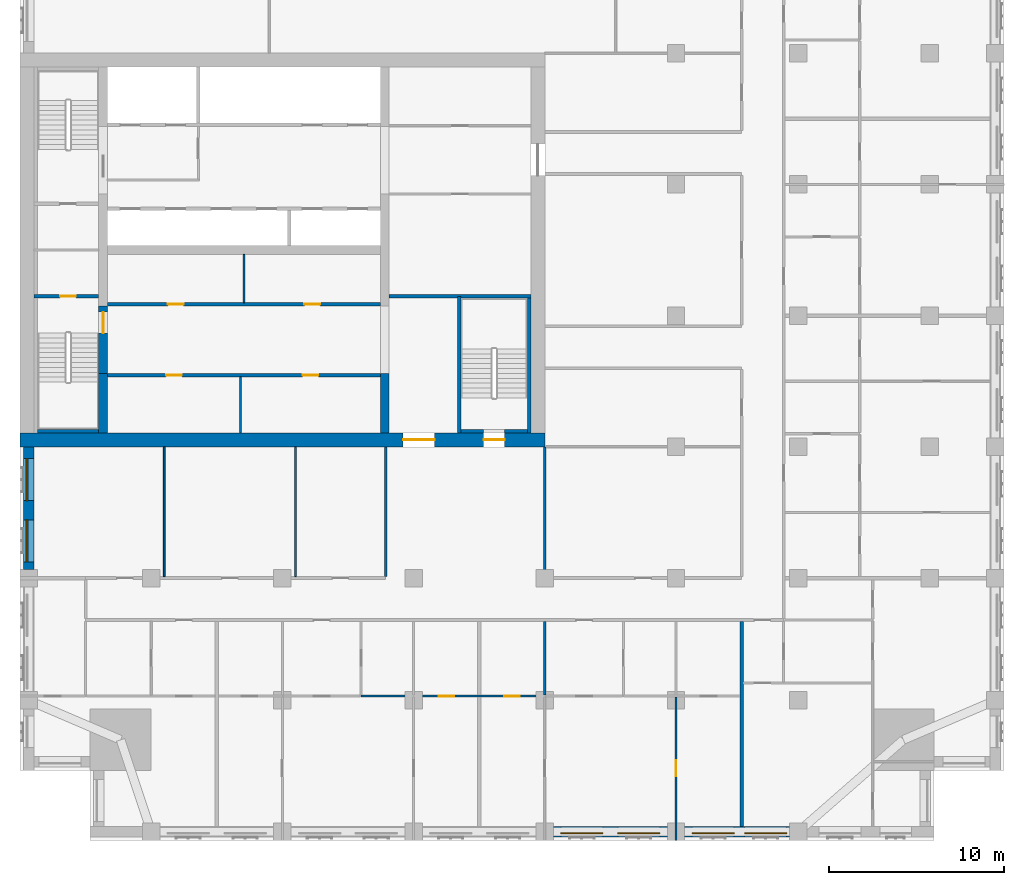
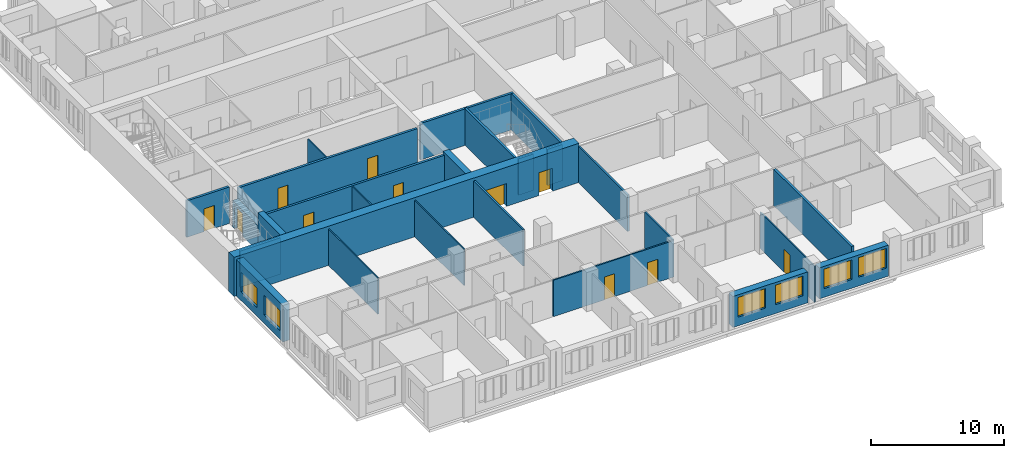
# One storey, part 5 of 13: 26 walls, 11 doors, 6 windows, 17 openings.
"""IFC4 building model written with IfcOpenShell, lengths in metres."""

from ifc_helpers import new_model, si_unit, direction, frame, frame_2d, origin, place, context, subcontext, project, spatial, rectangle, extrude, material, layer, layer_set, type_object, element, fill, save


model = new_model("IFC4")

# Units and contexts
model_context = context("Model", 3, precision=1e-05, world=origin(), true_north=direction((0.0, 1.0)))
body_context = subcontext(model_context, "Body", "Model", "MODEL_VIEW")
ifc_project = project(units=[si_unit("LENGTHUNIT", "METRE"), si_unit("AREAUNIT", "SQUARE_METRE"), si_unit("VOLUMEUNIT", "CUBIC_METRE"), si_unit("PLANEANGLEUNIT", "RADIAN"), si_unit("MASSUNIT", "GRAM", prefix="KILO")], contexts=[model_context])

# Site, building, storey
site_placement = place(None, origin())
site = spatial("IfcSite", under=ifc_project, at=site_placement, CompositionType="ELEMENT")
building_placement = place(site_placement, origin())
building = spatial("IfcBuilding", under=site, at=building_placement, Name="Tamorin Gate", CompositionType="ELEMENT")
storey_placement = place(building_placement, frame((0.0, 0.0, 144.60009765625)))
storey = spatial("IfcBuildingStorey", under=building, at=storey_placement, Name="L35", CompositionType="ELEMENT", Elevation=144.60009765625)

# Wall, openings, windows
ifc_material_1 = material(Name="Precast concrete C40/50", Category="concrete")
ifc_layer_1 = layer(ifc_material_1, 0.60009765625)
ifc_layer_set_1 = layer_set([ifc_layer_1], Name="Precast concrete C40/50")
wall_type_1 = type_object("IfcWallType", Name="Board-marked concrete facade panel 600", PredefinedType="SOLIDWALL", material=ifc_layer_set_1)
wall_1_placement = place(storey_placement, frame((60.5, 38.0, 0.0), z_axis=(0.0, 0.0, 1.0), x_axis=(1.0, 0.0, 0.0)))
wall_1 = element("IfcWall", 1, at=wall_1_placement, inside=storey, type_object=wall_type_1, Name="Facade panel", PredefinedType="SOLIDWALL", context=body_context, shape_type="SweptSolid", body=[
    extrude(rectangle(XDim=6.5, YDim=0.60009765625, at=frame_2d((3.25, 0.0))), origin(), (0.0, 0.0, 1.0), 2.849853515625),
])
opening_1_placement = place(wall_1_placement, frame((0.425048828125, 0.0, 0.800048828125)))
opening_1 = element("IfcOpeningElement", 2, at=opening_1_placement, cuts=wall_1, Name="Opening WN1", PredefinedType="OPENING", context=body_context, shape_type="SweptSolid", body=[
    extrude(rectangle(XDim=2.39990234375, YDim=1.800048828125, at=frame_2d((1.199951171875, 0.89990234375))), frame((0.0, 0.31005859375, 0.0), z_axis=(0.0, -1.0, 0.0), x_axis=(1.0, 0.0, 0.0)), (0.0, 0.0, 1.0), 0.6201171875),
])
opening_2_placement = place(wall_1_placement, frame((3.675048828125, 0.0, 0.800048828125)))
opening_2 = element("IfcOpeningElement", 3, at=opening_2_placement, cuts=wall_1, Name="Opening WN1", PredefinedType="OPENING", context=body_context, shape_type="SweptSolid", body=[
    extrude(rectangle(XDim=2.39990234375, YDim=1.800048828125, at=frame_2d((1.199951171875, 0.89990234375))), frame((0.0, 0.31005859375, 0.0), z_axis=(0.0, -1.0, 0.0), x_axis=(1.0, 0.0, 0.0)), (0.0, 0.0, 1.0), 0.6201171875),
])
ifc_material_2 = material(Name="Clear glass in aluminium frame", Category="aluminium")
window_type = type_object("IfcWindowType", Name="Deep-set window 2400x1800", PartitioningType="SINGLE_PANEL", PredefinedType="WINDOW", material=ifc_material_2)
window_1_placement = place(opening_1_placement, origin())
window_1 = element("IfcWindow", 4, at=window_1_placement, inside=storey, type_object=window_type, Name="Deep-set window", OverallHeight=1.800048828125, OverallWidth=2.39990234375, PartitioningType="SINGLE_PANEL", PredefinedType="WINDOW", context=body_context, shape_type="SweptSolid", body=[
    extrude(rectangle(XDim=2.39990234375, YDim=1.800048828125, at=frame_2d((1.199951171875, 0.89990234375))), frame((0.0, -0.070068359375, 0.0), z_axis=(0.0, -1.0, 0.0), x_axis=(1.0, 0.0, 0.0)), (0.0, 0.0, 1.0), 0.06005859375),
])
fill(opening_1, window_1)
window_2_placement = place(opening_2_placement, origin())
window_2 = element("IfcWindow", 5, at=window_2_placement, inside=storey, type_object=window_type, Name="Deep-set window", OverallHeight=1.800048828125, OverallWidth=2.39990234375, PartitioningType="SINGLE_PANEL", PredefinedType="WINDOW", context=body_context, shape_type="SweptSolid", body=[
    extrude(rectangle(XDim=2.39990234375, YDim=1.800048828125, at=frame_2d((1.199951171875, 0.89990234375))), frame((0.0, -0.070068359375, 0.0), z_axis=(0.0, -1.0, 0.0), x_axis=(1.0, 0.0, 0.0)), (0.0, 0.0, 1.0), 0.06005859375),
])
fill(opening_2, window_2)

wall_2_placement = place(storey_placement, frame((68.0, 38.0, 0.0), z_axis=(0.0, 0.0, 1.0), x_axis=(1.0, 0.0, 0.0)))
wall_2 = element("IfcWall", 6, at=wall_2_placement, inside=storey, type_object=wall_type_1, Name="Facade panel", PredefinedType="SOLIDWALL", context=body_context, shape_type="SweptSolid", body=[
    extrude(rectangle(XDim=6.0, YDim=0.60009765625, at=frame_2d((3.0, 0.0))), origin(), (0.0, 0.0, 1.0), 2.849853515625),
])
opening_3_placement = place(wall_2_placement, frame((0.425048828125, 0.0, 0.800048828125)))
opening_3 = element("IfcOpeningElement", 7, at=opening_3_placement, cuts=wall_2, Name="Opening WN1", PredefinedType="OPENING", context=body_context, shape_type="SweptSolid", body=[
    extrude(rectangle(XDim=2.39990234375, YDim=1.800048828125, at=frame_2d((1.199951171875, 0.89990234375))), frame((0.0, 0.31005859375, 0.0), z_axis=(0.0, -1.0, 0.0), x_axis=(1.0, 0.0, 0.0)), (0.0, 0.0, 1.0), 0.6201171875),
])
opening_4_placement = place(wall_2_placement, frame((3.425048828125, 0.0, 0.800048828125)))
opening_4 = element("IfcOpeningElement", 8, at=opening_4_placement, cuts=wall_2, Name="Opening WN1", PredefinedType="OPENING", context=body_context, shape_type="SweptSolid", body=[
    extrude(rectangle(XDim=2.39990234375, YDim=1.800048828125, at=frame_2d((1.199951171875, 0.89990234375))), frame((0.0, 0.31005859375, 0.0), z_axis=(0.0, -1.0, 0.0), x_axis=(1.0, 0.0, 0.0)), (0.0, 0.0, 1.0), 0.6201171875),
])
window_3_placement = place(opening_3_placement, origin())
window_3 = element("IfcWindow", 9, at=window_3_placement, inside=storey, type_object=window_type, Name="Deep-set window", OverallHeight=1.800048828125, OverallWidth=2.39990234375, PartitioningType="SINGLE_PANEL", PredefinedType="WINDOW", context=body_context, shape_type="SweptSolid", body=[
    extrude(rectangle(XDim=2.39990234375, YDim=1.800048828125, at=frame_2d((1.199951171875, 0.89990234375))), frame((0.0, -0.070068359375, 0.0), z_axis=(0.0, -1.0, 0.0), x_axis=(1.0, 0.0, 0.0)), (0.0, 0.0, 1.0), 0.06005859375),
])
fill(opening_3, window_3)
window_4_placement = place(opening_4_placement, origin())
window_4 = element("IfcWindow", 10, at=window_4_placement, inside=storey, type_object=window_type, Name="Deep-set window", OverallHeight=1.800048828125, OverallWidth=2.39990234375, PartitioningType="SINGLE_PANEL", PredefinedType="WINDOW", context=body_context, shape_type="SweptSolid", body=[
    extrude(rectangle(XDim=2.39990234375, YDim=1.800048828125, at=frame_2d((1.199951171875, 0.89990234375))), frame((0.0, -0.070068359375, 0.0), z_axis=(0.0, -1.0, 0.0), x_axis=(1.0, 0.0, 0.0)), (0.0, 0.0, 1.0), 0.06005859375),
])
fill(opening_4, window_4)

wall_3_placement = place(storey_placement, frame((30.5, 60.0, 0.0), z_axis=(0.0, 0.0, 1.0), x_axis=(0.0, -1.0, 0.0)))
wall_3 = element("IfcWall", 11, at=wall_3_placement, inside=storey, type_object=wall_type_1, Name="Facade panel", PredefinedType="SOLIDWALL", context=body_context, shape_type="SweptSolid", body=[
    extrude(rectangle(XDim=7.0, YDim=0.60009765625, at=frame_2d((3.5, 0.0))), origin(), (0.0, 0.0, 1.0), 3.349853515625),
])
opening_5_placement = place(wall_3_placement, frame((4.175048828125, 0.0, 0.800048828125)))
opening_5 = element("IfcOpeningElement", 12, at=opening_5_placement, cuts=wall_3, Name="Opening WN1", PredefinedType="OPENING", context=body_context, shape_type="SweptSolid", body=[
    extrude(rectangle(XDim=2.39990234375, YDim=1.800048828125, at=frame_2d((1.199951171875, 0.89990234375))), frame((0.0, 0.31005859375, 0.0), z_axis=(0.0, -1.0, 0.0), x_axis=(1.0, 0.0, 0.0)), (0.0, 0.0, 1.0), 0.6201171875),
])
opening_6_placement = place(wall_3_placement, frame((0.675048828125, 0.0, 0.800048828125)))
opening_6 = element("IfcOpeningElement", 13, at=opening_6_placement, cuts=wall_3, Name="Opening WN1", PredefinedType="OPENING", context=body_context, shape_type="SweptSolid", body=[
    extrude(rectangle(XDim=2.39990234375, YDim=1.800048828125, at=frame_2d((1.199951171875, 0.89990234375))), frame((0.0, 0.31005859375, 0.0), z_axis=(0.0, -1.0, 0.0), x_axis=(1.0, 0.0, 0.0)), (0.0, 0.0, 1.0), 0.6201171875),
])
window_5_placement = place(opening_5_placement, origin())
window_5 = element("IfcWindow", 14, at=window_5_placement, inside=storey, type_object=window_type, Name="Deep-set window", OverallHeight=1.800048828125, OverallWidth=2.39990234375, PartitioningType="SINGLE_PANEL", PredefinedType="WINDOW", context=body_context, shape_type="SweptSolid", body=[
    extrude(rectangle(XDim=2.39990234375, YDim=1.800048828125, at=frame_2d((1.199951171875, 0.89990234375))), frame((0.0, -0.070068359375, 0.0), z_axis=(0.0, -1.0, 0.0), x_axis=(1.0, 0.0, 0.0)), (0.0, 0.0, 1.0), 0.06005859375),
])
fill(opening_5, window_5)
window_6_placement = place(opening_6_placement, origin())
window_6 = element("IfcWindow", 15, at=window_6_placement, inside=storey, type_object=window_type, Name="Deep-set window", OverallHeight=1.800048828125, OverallWidth=2.39990234375, PartitioningType="SINGLE_PANEL", PredefinedType="WINDOW", context=body_context, shape_type="SweptSolid", body=[
    extrude(rectangle(XDim=2.39990234375, YDim=1.800048828125, at=frame_2d((1.199951171875, 0.89990234375))), frame((0.0, -0.070068359375, 0.0), z_axis=(0.0, -1.0, 0.0), x_axis=(1.0, 0.0, 0.0)), (0.0, 0.0, 1.0), 0.06005859375),
])
fill(opening_6, window_6)

# Walls
ifc_material_3 = material(Name="Gypsum board partition")
ifc_layer_2 = layer(ifc_material_3, 0.199951171875)
ifc_layer_set_2 = layer_set([ifc_layer_2], Name="Demising wall 200")
wall_type_2 = type_object("IfcWallType", Name="Demising wall 200", PredefinedType="PARTITIONING", material=ifc_layer_set_2)
wall_4_placement = place(storey_placement, frame((71.25, 38.31005859375, 0.0), z_axis=(0.0, 0.0, 1.0), x_axis=(0.0, 1.0, 0.0)))
element("IfcWall", 16, at=wall_4_placement, inside=storey, type_object=wall_type_2, Name="Demising wall 200", PredefinedType="PARTITIONING", context=body_context, shape_type="SweptSolid", body=[
    extrude(rectangle(XDim=11.71484375, YDim=0.199951171875, at=frame_2d((5.857421875, 0.0))), origin(), (0.0, 0.0, 1.0), 3.349853515625),
])
ifc_layer_3 = layer(ifc_material_3, 0.14990234375)
ifc_layer_set_3 = layer_set([ifc_layer_3], Name="Lobby wall 150")
wall_type_3 = type_object("IfcWallType", Name="Lobby wall 150", PredefinedType="PARTITIONING", material=ifc_layer_set_3)
for number, where, z_axis, x_axis, name in (
    (17, (50.89990234375, 52.574951171875, 0.0), (0.0, 0.0, 1.0), (0.0, 1.0, 0.0), "Lobby wall 150"),
    (18, (60.0, 52.574951171875, 0.0), (0.0, 0.0, 1.0), (0.0, 1.0, 0.0), "Lobby wall 150"),
):
    element("IfcWall", number, at=place(storey_placement, frame(where, z_axis=z_axis, x_axis=x_axis)), inside=storey, type_object=wall_type_3, Name=name, PredefinedType="PARTITIONING", context=body_context, shape_type="SweptSolid", body=[
        extrude(rectangle(XDim=7.425048828125, YDim=0.14990234375, at=frame_2d((3.71240234375, 0.0))), origin(), (0.0, 0.0, 1.0), 3.349853515625),
    ])
ifc_material_4 = material(Name="Concrete C60/75", Category="concrete")
ifc_layer_4 = layer(ifc_material_4, 0.5)
ifc_layer_set_4 = layer_set([ifc_layer_4], Name="RC core internal wall 500 C60/75")
wall_type_4 = type_object("IfcWallType", Name="RC core internal wall 500 C60/75", PredefinedType="SHEAR", material=ifc_layer_set_4)
for number, where, z_axis, x_axis, name in (
    (19, (34.75, 60.800048828125, 0.0), (0.0, 0.0, 1.0), (0.0, 1.0, 0.0), "Core cross wall L35"),
    (20, (50.85009765625, 60.800048828125, 0.0), (0.0, 0.0, 1.0), (0.0, 1.0, 0.0), "Core cross wall L35"),
):
    element("IfcWall", number, at=place(storey_placement, frame(where, z_axis=z_axis, x_axis=x_axis)), inside=storey, type_object=wall_type_4, Name=name, PredefinedType="SHEAR", context=body_context, shape_type="SweptSolid", body=[
        extrude(rectangle(XDim=3.39990234375, YDim=0.5, at=frame_2d((1.699951171875, 0.0))), origin(), (0.0, 0.0, 1.0), 3.599853515625),
    ])

# Wall, openings, doors
ifc_layer_5 = layer(ifc_material_4, 0.800048828125)
ifc_layer_set_5 = layer_set([ifc_layer_5], Name="RC core wall 800 C60/75")
wall_type_5 = type_object("IfcWallType", Name="RC core wall 800 C60/75", PredefinedType="SHEAR", material=ifc_layer_set_5)
wall_5_placement = place(storey_placement, frame((30.0, 60.39990234375, 0.0), z_axis=(0.0, 0.0, 1.0), x_axis=(1.0, 0.0, 0.0)))
wall_5 = element("IfcWall", 21, at=wall_5_placement, inside=storey, type_object=wall_type_5, Name="Core wall L35", PredefinedType="SHEAR", context=body_context, shape_type="SweptSolid", body=[
    extrude(rectangle(XDim=30.0, YDim=0.800048828125, at=frame_2d((15.0, 0.0))), origin(), (0.0, 0.0, 1.0), 3.599853515625),
])
opening_7_placement = place(wall_5_placement, frame((21.89990234375, 0.0, 0.0)))
opening_7 = element("IfcOpeningElement", 22, at=opening_7_placement, cuts=wall_5, Name="Opening DE1", PredefinedType="OPENING", context=body_context, shape_type="SweptSolid", body=[
    extrude(rectangle(XDim=1.800048828125, YDim=2.10009765625, at=frame_2d((0.89990234375, 1.050048828125))), frame((0.0, 0.409912109375, 0.0), z_axis=(0.0, -1.0, 0.0), x_axis=(1.0, 0.0, 0.0)), (0.0, 0.0, 1.0), 0.820068359375),
])
opening_8_placement = place(wall_5_placement, frame((26.5, 0.0, 0.0)))
opening_8 = element("IfcOpeningElement", 23, at=opening_8_placement, cuts=wall_5, Name="Opening DS1", PredefinedType="OPENING", context=body_context, shape_type="SweptSolid", body=[
    extrude(rectangle(XDim=1.199951171875, YDim=2.10009765625, at=frame_2d((0.60009765625, 1.050048828125))), frame((0.0, 0.409912109375, 0.0), z_axis=(0.0, -1.0, 0.0), x_axis=(1.0, 0.0, 0.0)), (0.0, 0.0, 1.0), 0.820068359375),
])
ifc_material_5 = material(Name="Steel fire door", Category="steel")
door_type_1 = type_object("IfcDoorType", Name="Lobby exit double door 1800 x 2100 EI 60", OperationType="DOUBLE_DOOR_SINGLE_SWING", PredefinedType="DOOR", material=ifc_material_5)
door_1_placement = place(opening_7_placement, origin())
door_1 = element("IfcDoor", 24, at=door_1_placement, inside=storey, type_object=door_type_1, Name="Lift lobby A exit door", OperationType="DOUBLE_DOOR_SINGLE_SWING", OverallHeight=2.10009765625, OverallWidth=1.800048828125, PredefinedType="DOOR", context=body_context, shape_type="SweptSolid", body=[
    extrude(rectangle(XDim=1.800048828125, YDim=2.10009765625, at=frame_2d((0.89990234375, 1.050048828125))), frame((0.0, 0.02490234375, 0.0), z_axis=(0.0, -1.0, 0.0), x_axis=(1.0, 0.0, 0.0)), (0.0, 0.0, 1.0), 0.050048828125),
])
fill(opening_7, door_1)
door_type_2 = type_object("IfcDoorType", Name="Stair door 1200 x 2100 EI 90", OperationType="SINGLE_SWING_LEFT", PredefinedType="DOOR", material=ifc_material_5)
door_2_placement = place(opening_8_placement, origin())
door_2 = element("IfcDoor", 25, at=door_2_placement, inside=storey, type_object=door_type_2, Name="ST3 door", OperationType="SINGLE_SWING_LEFT", OverallHeight=2.10009765625, OverallWidth=1.199951171875, PredefinedType="DOOR", context=body_context, shape_type="SweptSolid", body=[
    extrude(rectangle(XDim=1.199951171875, YDim=2.10009765625, at=frame_2d((0.60009765625, 1.050048828125))), frame((0.0, 0.02490234375, 0.0), z_axis=(0.0, -1.0, 0.0), x_axis=(1.0, 0.0, 0.0)), (0.0, 0.0, 1.0), 0.050048828125),
])
fill(opening_8, door_2)

# Walls
ifc_layer_6 = layer(ifc_material_3, 0.10009765625)
ifc_layer_set_6 = layer_set([ifc_layer_6], Name="Room partition 100")
wall_type_6 = type_object("IfcWallType", Name="Room partition 100", PredefinedType="PARTITIONING", material=ifc_layer_set_6)
for number, where, z_axis, x_axis, name in (
    (26, (38.25, 52.574951171875, 0.0), (0.0, 0.0, 1.0), (0.0, 1.0, 0.0), "Room partition 100"),
    (27, (45.75, 52.574951171875, 0.0), (0.0, 0.0, 1.0), (0.0, 1.0, 0.0), "Room partition 100"),
):
    element("IfcWall", number, at=place(storey_placement, frame(where, z_axis=z_axis, x_axis=x_axis)), inside=storey, type_object=wall_type_6, Name=name, PredefinedType="PARTITIONING", context=body_context, shape_type="SweptSolid", body=[
        extrude(rectangle(XDim=7.425048828125, YDim=0.10009765625, at=frame_2d((3.71240234375, 0.0))), origin(), (0.0, 0.0, 1.0), 3.349853515625),
    ])

# Wall, opening, door
wall_6_placement = place(storey_placement, frame((67.5, 37.5, 0.0), z_axis=(0.0, 0.0, 1.0), x_axis=(0.0, 1.0, 0.0)))
wall_6 = element("IfcWall", 28, at=wall_6_placement, inside=storey, type_object=wall_type_6, Name="Room partition 100", PredefinedType="PARTITIONING", context=body_context, shape_type="SweptSolid", body=[
    extrude(rectangle(XDim=8.1875, YDim=0.10009765625, at=frame_2d((4.09375, 0.0))), origin(), (0.0, 0.0, 1.0), 3.349853515625),
])
opening_9_placement = place(wall_6_placement, frame((3.675048828125, 0.0, 0.0)))
opening_9 = element("IfcOpeningElement", 29, at=opening_9_placement, cuts=wall_6, Name="Opening DS1018", PredefinedType="OPENING", context=body_context, shape_type="SweptSolid", body=[
    extrude(rectangle(XDim=0.89990234375, YDim=2.10009765625, at=frame_2d((0.449951171875, 1.050048828125))), frame((0.0, 0.06005859375, 0.0), z_axis=(0.0, -1.0, 0.0), x_axis=(1.0, 0.0, 0.0)), (0.0, 0.0, 1.0), 0.1201171875),
])
ifc_material_6 = material(Name="Timber door leaf", Category="wood")
door_type_3 = type_object("IfcDoorType", Name="Door 900 x 2100", OperationType="NOTDEFINED", PredefinedType="DOOR", material=ifc_material_6)
door_3_placement = place(opening_9_placement, origin())
door_3 = element("IfcDoor", 30, at=door_3_placement, inside=storey, type_object=door_type_3, Name="Door DS1018", OperationType="SINGLE_SWING_LEFT", OverallHeight=2.10009765625, OverallWidth=0.89990234375, PredefinedType="DOOR", context=body_context, shape_type="SweptSolid", body=[
    extrude(rectangle(XDim=0.89990234375, YDim=2.10009765625, at=frame_2d((0.449951171875, 1.050048828125))), frame((0.0, 0.02490234375, 0.0), z_axis=(0.0, -1.0, 0.0), x_axis=(1.0, 0.0, 0.0)), (0.0, 0.0, 1.0), 0.050048828125),
])
fill(opening_9, door_3)

# Wall, openings, doors
ifc_layer_7 = layer(ifc_material_3, 0.199951171875)
ifc_layer_set_7 = layer_set([ifc_layer_7], Name="Service room face wall 200 EI 60")
wall_type_7 = type_object("IfcWallType", Name="Service room face wall 200 EI 60", PredefinedType="PARTITIONING", material=ifc_layer_set_7)
wall_7_placement = place(storey_placement, frame((35.0, 64.10009765625, 0.0), z_axis=(0.0, 0.0, 1.0), x_axis=(1.0, 0.0, 0.0)))
wall_7 = element("IfcWall", 31, at=wall_7_placement, inside=storey, type_object=wall_type_7, Name="Service room face wall", PredefinedType="PARTITIONING", context=body_context, shape_type="SweptSolid", body=[
    extrude(rectangle(XDim=15.60009765625, YDim=0.199951171875, at=frame_2d((7.800048828125, 0.0))), origin(), (0.0, 0.0, 1.0), 3.349853515625),
])
opening_10_placement = place(wall_7_placement, frame((3.35009765625, 0.0, 0.0)))
opening_10 = element("IfcOpeningElement", 32, at=opening_10_placement, cuts=wall_7, Name="Opening DK1", PredefinedType="OPENING", context=body_context, shape_type="SweptSolid", body=[
    extrude(rectangle(XDim=0.89990234375, YDim=2.10009765625, at=frame_2d((0.449951171875, 1.050048828125))), frame((0.0, 0.10986328125, 0.0), z_axis=(0.0, -1.0, 0.0), x_axis=(1.0, 0.0, 0.0)), (0.0, 0.0, 1.0), 0.219970703125),
])
opening_11_placement = place(wall_7_placement, frame((11.14990234375, 0.0, 0.0)))
opening_11 = element("IfcOpeningElement", 33, at=opening_11_placement, cuts=wall_7, Name="Opening DK1", PredefinedType="OPENING", context=body_context, shape_type="SweptSolid", body=[
    extrude(rectangle(XDim=0.89990234375, YDim=2.10009765625, at=frame_2d((0.449951171875, 1.050048828125))), frame((0.0, 0.10986328125, 0.0), z_axis=(0.0, -1.0, 0.0), x_axis=(1.0, 0.0, 0.0)), (0.0, 0.0, 1.0), 0.219970703125),
])
ifc_material_7 = material(Name="Timber fire door", Category="wood")
door_type_4 = type_object("IfcDoorType", Name="Service room door 900 x 2100 EI 60", OperationType="SINGLE_SWING_LEFT", PredefinedType="DOOR", material=ifc_material_7)
door_4_placement = place(opening_10_placement, origin())
door_4 = element("IfcDoor", 34, at=door_4_placement, inside=storey, type_object=door_type_4, Name="Door Pantry", OperationType="SINGLE_SWING_LEFT", OverallHeight=2.10009765625, OverallWidth=0.89990234375, PredefinedType="DOOR", context=body_context, shape_type="SweptSolid", body=[
    extrude(rectangle(XDim=0.89990234375, YDim=2.10009765625, at=frame_2d((0.449951171875, 1.050048828125))), frame((0.0, 0.02490234375, 0.0), z_axis=(0.0, -1.0, 0.0), x_axis=(1.0, 0.0, 0.0)), (0.0, 0.0, 1.0), 0.050048828125),
])
fill(opening_10, door_4)
door_5_placement = place(opening_11_placement, origin())
door_5 = element("IfcDoor", 35, at=door_5_placement, inside=storey, type_object=door_type_4, Name="Door Linen store", OperationType="SINGLE_SWING_RIGHT", OverallHeight=2.10009765625, OverallWidth=0.89990234375, PredefinedType="DOOR", context=body_context, shape_type="SweptSolid", body=[
    extrude(rectangle(XDim=0.89990234375, YDim=2.10009765625, at=frame_2d((0.449951171875, 1.050048828125))), frame((0.0, 0.02490234375, 0.0), z_axis=(0.0, -1.0, 0.0), x_axis=(1.0, 0.0, 0.0)), (0.0, 0.0, 1.0), 0.050048828125),
])
fill(opening_11, door_5)

wall_8_placement = place(storey_placement, frame((35.0, 68.14990234375, 0.0), z_axis=(0.0, 0.0, 1.0), x_axis=(1.0, 0.0, 0.0)))
wall_8 = element("IfcWall", 36, at=wall_8_placement, inside=storey, type_object=wall_type_7, Name="Service room face wall", PredefinedType="PARTITIONING", context=body_context, shape_type="SweptSolid", body=[
    extrude(rectangle(XDim=15.60009765625, YDim=0.199951171875, at=frame_2d((7.800048828125, 0.0))), origin(), (0.0, 0.0, 1.0), 3.349853515625),
])
opening_12_placement = place(wall_8_placement, frame((3.449951171875, 0.0, 0.0)))
opening_12 = element("IfcOpeningElement", 37, at=opening_12_placement, cuts=wall_8, Name="Opening DK1", PredefinedType="OPENING", context=body_context, shape_type="SweptSolid", body=[
    extrude(rectangle(XDim=0.89990234375, YDim=2.10009765625, at=frame_2d((0.449951171875, 1.050048828125))), frame((0.0, 0.10986328125, 0.0), z_axis=(0.0, -1.0, 0.0), x_axis=(1.0, 0.0, 0.0)), (0.0, 0.0, 1.0), 0.219970703125),
])
opening_13_placement = place(wall_8_placement, frame((11.25, 0.0, 0.0)))
opening_13 = element("IfcOpeningElement", 38, at=opening_13_placement, cuts=wall_8, Name="Opening DK1", PredefinedType="OPENING", context=body_context, shape_type="SweptSolid", body=[
    extrude(rectangle(XDim=0.89990234375, YDim=2.10009765625, at=frame_2d((0.449951171875, 1.050048828125))), frame((0.0, 0.10986328125, 0.0), z_axis=(0.0, -1.0, 0.0), x_axis=(1.0, 0.0, 0.0)), (0.0, 0.0, 1.0), 0.219970703125),
])
door_6_placement = place(opening_12_placement, origin())
door_6 = element("IfcDoor", 39, at=door_6_placement, inside=storey, type_object=door_type_4, Name="Door Housekeeping store", OperationType="SINGLE_SWING_LEFT", OverallHeight=2.10009765625, OverallWidth=0.89990234375, PredefinedType="DOOR", context=body_context, shape_type="SweptSolid", body=[
    extrude(rectangle(XDim=0.89990234375, YDim=2.10009765625, at=frame_2d((0.449951171875, 1.050048828125))), frame((0.0, 0.02490234375, 0.0), z_axis=(0.0, -1.0, 0.0), x_axis=(1.0, 0.0, 0.0)), (0.0, 0.0, 1.0), 0.050048828125),
])
fill(opening_12, door_6)
door_7_placement = place(opening_13_placement, origin())
door_7 = element("IfcDoor", 40, at=door_7_placement, inside=storey, type_object=door_type_4, Name="Door IT room", OperationType="SINGLE_SWING_RIGHT", OverallHeight=2.10009765625, OverallWidth=0.89990234375, PredefinedType="DOOR", context=body_context, shape_type="SweptSolid", body=[
    extrude(rectangle(XDim=0.89990234375, YDim=2.10009765625, at=frame_2d((0.449951171875, 1.050048828125))), frame((0.0, 0.02490234375, 0.0), z_axis=(0.0, -1.0, 0.0), x_axis=(1.0, 0.0, 0.0)), (0.0, 0.0, 1.0), 0.050048828125),
])
fill(opening_13, door_7)

# Walls
ifc_layer_8 = layer(ifc_material_3, 0.10009765625)
ifc_layer_set_8 = layer_set([ifc_layer_8], Name="Service room partition 100 EI 60")
wall_type_8 = type_object("IfcWallType", Name="Service room partition 100 EI 60", PredefinedType="PARTITIONING", material=ifc_layer_set_8)
wall_9_placement = place(storey_placement, frame((42.60009765625, 60.800048828125, 0.0), z_axis=(0.0, 0.0, 1.0), x_axis=(0.0, 1.0, 0.0)))
element("IfcWall", 41, at=wall_9_placement, inside=storey, type_object=wall_type_8, Name="Service room partition", PredefinedType="PARTITIONING", context=body_context, shape_type="SweptSolid", body=[
    extrude(rectangle(XDim=3.199951171875, YDim=0.10009765625, at=frame_2d((1.60009765625, 0.0))), origin(), (0.0, 0.0, 1.0), 3.349853515625),
])
wall_10_placement = place(storey_placement, frame((42.800048828125, 68.25, 0.0), z_axis=(0.0, 0.0, 1.0), x_axis=(0.0, 1.0, 0.0)))
element("IfcWall", 42, at=wall_10_placement, inside=storey, type_object=wall_type_8, Name="Service room partition", PredefinedType="PARTITIONING", context=body_context, shape_type="SweptSolid", body=[
    extrude(rectangle(XDim=2.75, YDim=0.10009765625, at=frame_2d((1.375, 0.0))), origin(), (0.0, 0.0, 1.0), 3.349853515625),
])

# Wall, opening, door
ifc_material_8 = material(Name="Concrete C40/50", Category="concrete")
ifc_layer_9 = layer(ifc_material_8, 0.199951171875)
ifc_layer_set_9 = layer_set([ifc_layer_9], Name="Stair enclosure wall 200 EI 120 C40/50")
wall_type_9 = type_object("IfcWallType", Name="Stair enclosure wall 200 EI 120 C40/50", PredefinedType="SOLIDWALL", material=ifc_layer_set_9)
wall_11_placement = place(storey_placement, frame((30.800048828125, 68.60009765625, 0.0), z_axis=(0.0, 0.0, 1.0), x_axis=(1.0, 0.0, 0.0)))
wall_11 = element("IfcWall", 43, at=wall_11_placement, inside=storey, type_object=wall_type_9, Name="Stair enclosure wall", PredefinedType="SOLIDWALL", context=body_context, shape_type="SweptSolid", body=[
    extrude(rectangle(XDim=3.699951171875, YDim=0.199951171875, at=frame_2d((1.85009765625, 0.0))), origin(), (0.0, 0.0, 1.0), 3.349853515625),
])
opening_14_placement = place(wall_11_placement, frame((1.5, 0.0, 0.0)))
opening_14 = element("IfcOpeningElement", 44, at=opening_14_placement, cuts=wall_11, Name="Opening DR1", PredefinedType="OPENING", context=body_context, shape_type="SweptSolid", body=[
    extrude(rectangle(XDim=0.89990234375, YDim=2.10009765625, at=frame_2d((0.449951171875, 1.050048828125))), frame((0.0, 0.10986328125, 0.0), z_axis=(0.0, -1.0, 0.0), x_axis=(1.0, 0.0, 0.0)), (0.0, 0.0, 1.0), 0.219970703125),
])
door_type_5 = type_object("IfcDoorType", Name="Riser access door 900 x 2100 EI 120", OperationType="SINGLE_SWING_LEFT", PredefinedType="DOOR", material=ifc_material_5)
door_8_placement = place(opening_14_placement, origin())
door_8 = element("IfcDoor", 45, at=door_8_placement, inside=storey, type_object=door_type_5, Name="Electrical riser door", OperationType="SINGLE_SWING_LEFT", OverallHeight=2.10009765625, OverallWidth=0.89990234375, PredefinedType="DOOR", context=body_context, shape_type="SweptSolid", body=[
    extrude(rectangle(XDim=0.89990234375, YDim=2.10009765625, at=frame_2d((0.449951171875, 1.050048828125))), frame((0.0, 0.02490234375, 0.0), z_axis=(0.0, -1.0, 0.0), x_axis=(1.0, 0.0, 0.0)), (0.0, 0.0, 1.0), 0.050048828125),
])
fill(opening_14, door_8)

# Walls
wall_12_placement = place(storey_placement, frame((55.10009765625, 60.800048828125, 0.0), z_axis=(0.0, 0.0, 1.0), x_axis=(0.0, 1.0, 0.0)))
element("IfcWall", 46, at=wall_12_placement, inside=storey, type_object=wall_type_9, Name="Stair enclosure wall", PredefinedType="SOLIDWALL", context=body_context, shape_type="SweptSolid", body=[
    extrude(rectangle(XDim=7.800048828125, YDim=0.199951171875, at=frame_2d((3.89990234375, 0.0))), origin(), (0.0, 0.0, 1.0), 3.349853515625),
])
wall_13_placement = place(storey_placement, frame((51.10009765625, 68.60009765625, 0.0), z_axis=(0.0, 0.0, 1.0), x_axis=(1.0, 0.0, 0.0)))
element("IfcWall", 47, at=wall_13_placement, inside=storey, type_object=wall_type_9, Name="Stair enclosure wall", PredefinedType="SOLIDWALL", context=body_context, shape_type="SweptSolid", body=[
    extrude(rectangle(XDim=8.099853515625, YDim=0.199951171875, at=frame_2d((4.0498046875, 0.0))), origin(), (0.0, 0.0, 1.0), 3.349853515625),
])
ifc_layer_10 = layer(ifc_material_4, 0.199951171875)
ifc_layer_set_10 = layer_set([ifc_layer_10], Name="Stair lining wall 200 EI 120 C60/75")
wall_type_10 = type_object("IfcWallType", Name="Stair lining wall 200 EI 120 C60/75", PredefinedType="SOLIDWALL", material=ifc_layer_set_10)
wall_14_placement = place(storey_placement, frame((31.0, 60.89990234375, 0.0), z_axis=(0.0, 0.0, 1.0), x_axis=(1.0, 0.0, 0.0)))
element("IfcWall", 48, at=wall_14_placement, inside=storey, type_object=wall_type_10, Name="Stair lining wall", PredefinedType="SOLIDWALL", context=body_context, shape_type="SweptSolid", body=[
    extrude(rectangle(XDim=3.5, YDim=0.199951171875, at=frame_2d((1.75, 0.0))), origin(), (0.0, 0.0, 1.0), 3.349853515625),
])
for number, where, z_axis, x_axis, name in (
    (49, (55.199951171875, 60.89990234375, 0.0), (0.0, 0.0, 1.0), (1.0, 0.0, 0.0), "Stair lining wall"),
    (50, (57.699951171875, 60.89990234375, 0.0), (0.0, 0.0, 1.0), (1.0, 0.0, 0.0), "Stair lining wall"),
):
    element("IfcWall", number, at=place(storey_placement, frame(where, z_axis=z_axis, x_axis=x_axis)), inside=storey, type_object=wall_type_10, Name=name, PredefinedType="SOLIDWALL", context=body_context, shape_type="SweptSolid", body=[
        extrude(rectangle(XDim=1.300048828125, YDim=0.199951171875, at=frame_2d((0.64990234375, 0.0))), origin(), (0.0, 0.0, 1.0), 3.349853515625),
    ])
wall_15_placement = place(storey_placement, frame((59.10009765625, 60.800048828125, 0.0), z_axis=(0.0, 0.0, 1.0), x_axis=(0.0, 1.0, 0.0)))
element("IfcWall", 51, at=wall_15_placement, inside=storey, type_object=wall_type_10, Name="Stair lining wall", PredefinedType="SOLIDWALL", context=body_context, shape_type="SweptSolid", body=[
    extrude(rectangle(XDim=7.699951171875, YDim=0.199951171875, at=frame_2d((3.85009765625, 0.0))), origin(), (0.0, 0.0, 1.0), 3.349853515625),
])

# Wall, opening, door
ifc_material_9 = material(Name="Concrete C32/40", Category="concrete")
ifc_layer_11 = layer(ifc_material_9, 0.5)
ifc_layer_set_11 = layer_set([ifc_layer_11], Name="Stair lobby infill wall 500 EI 120")
wall_type_11 = type_object("IfcWallType", Name="Stair lobby infill wall 500 EI 120", PredefinedType="SOLIDWALL", material=ifc_layer_set_11)
wall_16_placement = place(storey_placement, frame((34.75, 64.199951171875, 0.0), z_axis=(0.0, 0.0, 1.0), x_axis=(0.0, 1.0, 0.0)))
wall_16 = element("IfcWall", 52, at=wall_16_placement, inside=storey, type_object=wall_type_11, Name="Stair lobby infill wall", PredefinedType="SOLIDWALL", context=body_context, shape_type="SweptSolid", body=[
    extrude(rectangle(XDim=3.85009765625, YDim=0.5, at=frame_2d((1.925048828125, 0.0))), origin(), (0.0, 0.0, 1.0), 2.39990234375),
])
opening_15_placement = place(wall_16_placement, frame((2.300048828125, 0.0, 0.0)))
opening_15 = element("IfcOpeningElement", 53, at=opening_15_placement, cuts=wall_16, Name="Opening DS1", PredefinedType="OPENING", context=body_context, shape_type="SweptSolid", body=[
    extrude(rectangle(XDim=1.199951171875, YDim=2.10009765625, at=frame_2d((0.60009765625, 1.050048828125))), frame((0.0, 0.260009765625, 0.0), z_axis=(0.0, -1.0, 0.0), x_axis=(1.0, 0.0, 0.0)), (0.0, 0.0, 1.0), 0.52001953125),
])
door_9_placement = place(opening_15_placement, origin())
door_9 = element("IfcDoor", 54, at=door_9_placement, inside=storey, type_object=door_type_2, Name="ST1 door", OperationType="SINGLE_SWING_LEFT", OverallHeight=2.10009765625, OverallWidth=1.199951171875, PredefinedType="DOOR", context=body_context, shape_type="SweptSolid", body=[
    extrude(rectangle(XDim=1.199951171875, YDim=2.10009765625, at=frame_2d((0.60009765625, 1.050048828125))), frame((0.0, 0.02490234375, 0.0), z_axis=(0.0, -1.0, 0.0), x_axis=(1.0, 0.0, 0.0)), (0.0, 0.0, 1.0), 0.050048828125),
])
fill(opening_15, door_9)

# Wall, openings, doors
ifc_layer_12 = layer(ifc_material_3, 0.125)
ifc_layer_set_12 = layer_set([ifc_layer_12], Name="Wet wall 125")
wall_type_12 = type_object("IfcWallType", Name="Wet wall 125", PredefinedType="PARTITIONING", material=ifc_layer_set_12)
wall_17_placement = place(storey_placement, frame((49.5, 45.75, 0.0), z_axis=(0.0, 0.0, 1.0), x_axis=(1.0, 0.0, 0.0)))
wall_17 = element("IfcWall", 55, at=wall_17_placement, inside=storey, type_object=wall_type_12, Name="Wet wall 125", PredefinedType="PARTITIONING", context=body_context, shape_type="SweptSolid", body=[
    extrude(rectangle(XDim=10.5, YDim=0.125, at=frame_2d((5.25, 0.0))), origin(), (0.0, 0.0, 1.0), 3.349853515625),
])
opening_16_placement = place(wall_17_placement, frame((4.425048828125, 0.0, 0.0)))
opening_16 = element("IfcOpeningElement", 56, at=opening_16_placement, cuts=wall_17, Name="Opening DS1009", PredefinedType="OPENING", context=body_context, shape_type="SweptSolid", body=[
    extrude(rectangle(XDim=0.89990234375, YDim=2.10009765625, at=frame_2d((0.449951171875, 1.050048828125))), frame((0.0, 0.072509765625, 0.0), z_axis=(0.0, -1.0, 0.0), x_axis=(1.0, 0.0, 0.0)), (0.0, 0.0, 1.0), 0.14501953125),
])
opening_17_placement = place(wall_17_placement, frame((8.175048828125, 0.0, 0.0)))
opening_17 = element("IfcOpeningElement", 57, at=opening_17_placement, cuts=wall_17, Name="Opening DS1012", PredefinedType="OPENING", context=body_context, shape_type="SweptSolid", body=[
    extrude(rectangle(XDim=0.89990234375, YDim=2.10009765625, at=frame_2d((0.449951171875, 1.050048828125))), frame((0.0, 0.072509765625, 0.0), z_axis=(0.0, -1.0, 0.0), x_axis=(1.0, 0.0, 0.0)), (0.0, 0.0, 1.0), 0.14501953125),
])
door_10_placement = place(opening_16_placement, origin())
door_10 = element("IfcDoor", 58, at=door_10_placement, inside=storey, type_object=door_type_3, Name="Door DS1009", OperationType="SINGLE_SWING_LEFT", OverallHeight=2.10009765625, OverallWidth=0.89990234375, PredefinedType="DOOR", context=body_context, shape_type="SweptSolid", body=[
    extrude(rectangle(XDim=0.89990234375, YDim=2.10009765625, at=frame_2d((0.449951171875, 1.050048828125))), frame((0.0, 0.02490234375, 0.0), z_axis=(0.0, -1.0, 0.0), x_axis=(1.0, 0.0, 0.0)), (0.0, 0.0, 1.0), 0.050048828125),
])
fill(opening_16, door_10)
door_11_placement = place(opening_17_placement, origin())
door_11 = element("IfcDoor", 59, at=door_11_placement, inside=storey, type_object=door_type_3, Name="Door DS1012", OperationType="SINGLE_SWING_LEFT", OverallHeight=2.10009765625, OverallWidth=0.89990234375, PredefinedType="DOOR", context=body_context, shape_type="SweptSolid", body=[
    extrude(rectangle(XDim=0.89990234375, YDim=2.10009765625, at=frame_2d((0.449951171875, 1.050048828125))), frame((0.0, 0.02490234375, 0.0), z_axis=(0.0, -1.0, 0.0), x_axis=(1.0, 0.0, 0.0)), (0.0, 0.0, 1.0), 0.050048828125),
])
fill(opening_17, door_11)

# Wall
wall_18_placement = place(storey_placement, frame((60.0, 45.8125, 0.0), z_axis=(0.0, 0.0, 1.0), x_axis=(0.0, 1.0, 0.0)))
element("IfcWall", 60, at=wall_18_placement, inside=storey, type_object=wall_type_12, Name="Wet wall 125", PredefinedType="PARTITIONING", context=body_context, shape_type="SweptSolid", body=[
    extrude(rectangle(XDim=4.21240234375, YDim=0.125, at=frame_2d((2.106201171875, 0.0))), origin(), (0.0, 0.0, 1.0), 3.349853515625),
])

save(model, "model.ifc")
